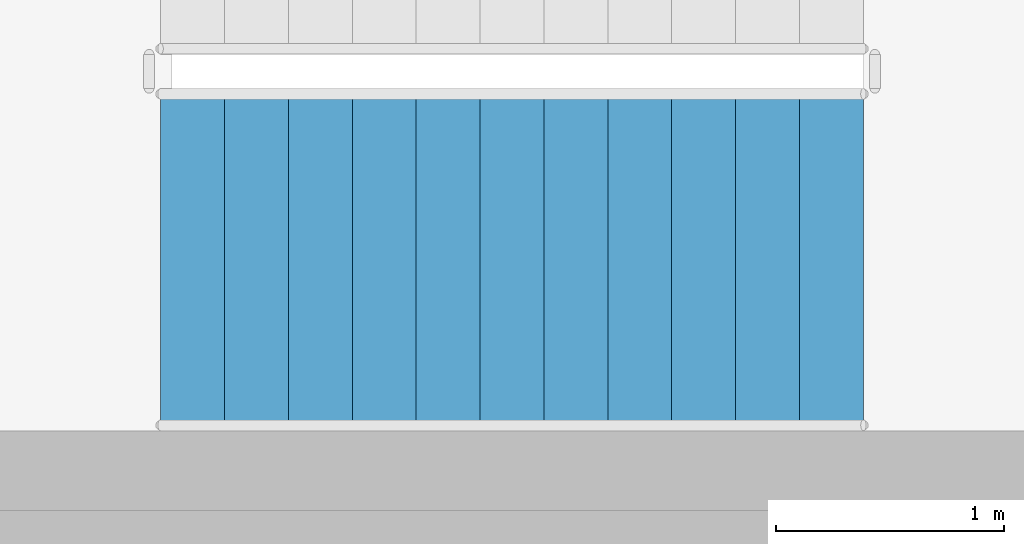
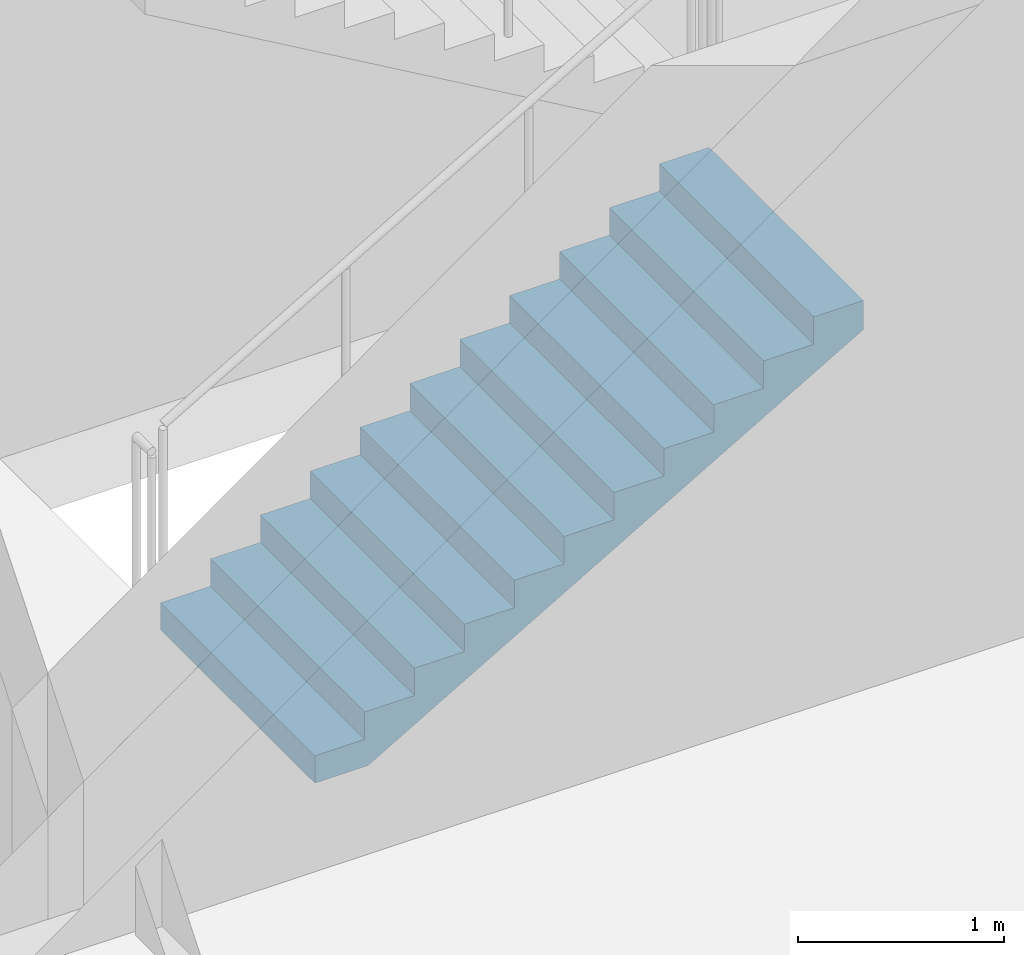
# One storey, part 79 of 95: 1 stair flight, 1 element without a shape of its own.
"""IFC4 building model written with IfcOpenShell, lengths in metres."""

from ifc_helpers import new_model, si_unit, direction, frame, origin, place, context, subcontext, project, spatial, triangles, material, type_object, element, aggregate, save


model = new_model("IFC4")

# Units and contexts
model_context = context("Model", 3, precision=1e-05, world=origin(), true_north=direction((0.0, 1.0)))
body_context = subcontext(model_context, "Body", "Model", "MODEL_VIEW")
ifc_project = project(units=[si_unit("LENGTHUNIT", "METRE"), si_unit("AREAUNIT", "SQUARE_METRE"), si_unit("VOLUMEUNIT", "CUBIC_METRE"), si_unit("PLANEANGLEUNIT", "RADIAN"), si_unit("MASSUNIT", "GRAM", prefix="KILO")], contexts=[model_context])

# Site, building, storey
site_placement = place(None, origin())
site = spatial("IfcSite", under=ifc_project, at=site_placement, CompositionType="ELEMENT")
building_placement = place(site_placement, origin())
building = spatial("IfcBuilding", under=site, at=building_placement, Name="Magnolia Steps Interchange", CompositionType="ELEMENT")
storey_placement = place(building_placement, frame((0.0, 0.0, 4.800048828125)))
storey = spatial("IfcBuildingStorey", under=building, at=storey_placement, Name="L01", CompositionType="ELEMENT", Elevation=4.800048828125)

# Stair, stair flight
ifc_material_1 = material(Name="Concrete C40", Category="concrete")
stair_type = type_object("IfcStairType", Name="Exit stair 1500", PredefinedType="HALF_TURN_STAIR", material=ifc_material_1)
stair_placement = place(storey_placement, origin())
stair = element("IfcStair", 1, at=stair_placement, inside=storey, type_object=stair_type, Name="L01 Stair 4", PredefinedType="HALF_TURN_STAIR")
ifc_material_2 = material(Name="Concrete C40", Category="concrete")
stair_flight_type = type_object("IfcStairFlightType", Name="Exit stair flight", PredefinedType="STRAIGHT", material=ifc_material_2)
stair_flight_placement = place(storey_placement, frame((112.199951171875, 76.050048828125, 0.0), z_axis=(0.0, 0.0, 1.0), x_axis=(1.0, 0.0, 0.0)))
stair_flight = element("IfcStairFlight", 2, at=stair_flight_placement, type_object=stair_flight_type, Name="Stair 4 flight 1", NumberOfRisers=12, NumberOfTreads=11, PredefinedType="STRAIGHT", RiserHeight=0.1625, TreadLength=0.28, context=body_context, shape_type="Tessellation", body=[
    triangles([(0.0, -0.75, 0.0), (0.298583984375, -0.75, 0.0), (3.080078125, -0.75, 1.6142578125), (3.080078125, -0.75, 1.78759765625), (2.800048828125, -0.75, 1.78759765625), (2.800048828125, -0.75, 1.625), (2.52001953125, -0.75, 1.625), (2.52001953125, -0.75, 1.46240234375), (2.239990234375, -0.75, 1.46240234375), (2.239990234375, -0.75, 1.300048828125), (1.9599609375, -0.75, 1.300048828125), (1.9599609375, -0.75, 1.137451171875), (1.679931640625, -0.75, 1.137451171875), (1.679931640625, -0.75, 0.97509765625), (1.39990234375, -0.75, 0.97509765625), (1.39990234375, -0.75, 0.8125), (1.1201171875, -0.75, 0.8125), (1.1201171875, -0.75, 0.64990234375), (0.840087890625, -0.75, 0.64990234375), (0.840087890625, -0.75, 0.487548828125), (0.56005859375, -0.75, 0.487548828125), (0.56005859375, -0.75, 0.324951171875), (0.280029296875, -0.75, 0.324951171875), (0.280029296875, -0.75, 0.16259765625), (0.0, -0.75, 0.16259765625), (0.0, 0.75, 0.0), (0.298583984375, 0.75, 0.0), (3.080078125, 0.75, 1.6142578125), (3.080078125, 0.75, 1.78759765625), (2.800048828125, 0.75, 1.78759765625), (2.800048828125, 0.75, 1.625), (2.52001953125, 0.75, 1.625), (2.52001953125, 0.75, 1.46240234375), (2.239990234375, 0.75, 1.46240234375), (2.239990234375, 0.75, 1.300048828125), (1.9599609375, 0.75, 1.300048828125), (1.9599609375, 0.75, 1.137451171875), (1.679931640625, 0.75, 1.137451171875), (1.679931640625, 0.75, 0.97509765625), (1.39990234375, 0.75, 0.97509765625), (1.39990234375, 0.75, 0.8125), (1.1201171875, 0.75, 0.8125), (1.1201171875, 0.75, 0.64990234375), (0.840087890625, 0.75, 0.64990234375), (0.840087890625, 0.75, 0.487548828125), (0.56005859375, 0.75, 0.487548828125), (0.56005859375, 0.75, 0.324951171875), (0.280029296875, 0.75, 0.324951171875), (0.280029296875, 0.75, 0.16259765625), (0.0, 0.75, 0.16259765625), (0.0, 0.0, 0.0), (0.0, 0.0, 0.0406494140625), (0.0, 0.0, 0.081298828125), (0.0, 0.0, 0.1219482421875), (0.0, 0.0, 0.16259765625), (0.0, -0.05, 0.0), (0.0, -0.05, 0.16259765625), (0.0, 0.05, 0.0), (0.0, 0.05, 0.16259765625), (0.046671549479166664, 0.0, 0.16259765625), (0.09334309895833333, 0.0, 0.16259765625), (0.1400146484375, 0.0, 0.16259765625), (0.18668619791666666, 0.0, 0.16259765625), (0.23335774739583334, 0.0, 0.16259765625), (0.280029296875, 0.0, 0.16259765625), (0.280029296875, -0.05, 0.16259765625), (0.280029296875, 0.05, 0.16259765625), (0.280029296875, 0.0, 0.20318603515625), (0.280029296875, 0.0, 0.2437744140625), (0.280029296875, 0.0, 0.28436279296875), (0.280029296875, 0.0, 0.324951171875), (0.280029296875, -0.05, 0.324951171875), (0.280029296875, 0.05, 0.324951171875), (0.3267008463541667, 0.0, 0.324951171875), (0.3733723958333333, 0.0, 0.324951171875), (0.4200439453125, 0.0, 0.324951171875), (0.46671549479166663, 0.0, 0.324951171875), (0.5133870442708334, 0.0, 0.324951171875), (0.56005859375, 0.0, 0.324951171875), (0.56005859375, -0.05, 0.324951171875), (0.56005859375, 0.05, 0.324951171875), (0.56005859375, 0.0, 0.3656005859375), (0.56005859375, 0.0, 0.40625), (0.56005859375, 0.0, 0.4468994140625), (0.56005859375, 0.0, 0.487548828125), (0.56005859375, -0.05, 0.487548828125), (0.56005859375, 0.05, 0.487548828125), (0.6067301432291666, 0.0, 0.487548828125), (0.6534016927083334, 0.0, 0.487548828125), (0.7000732421875, 0.0, 0.487548828125), (0.7467447916666666, 0.0, 0.487548828125), (0.7934163411458334, 0.0, 0.487548828125), (0.840087890625, 0.0, 0.487548828125), (0.840087890625, -0.05, 0.487548828125), (0.840087890625, 0.05, 0.487548828125), (0.840087890625, 0.0, 0.52813720703125), (0.840087890625, 0.0, 0.5687255859375), (0.840087890625, 0.0, 0.60931396484375), (0.840087890625, 0.0, 0.64990234375), (0.840087890625, -0.05, 0.64990234375), (0.840087890625, 0.05, 0.64990234375), (0.8867594401041666, 0.0, 0.64990234375), (0.9334309895833334, 0.0, 0.64990234375), (0.9801025390625, 0.0, 0.64990234375), (1.0267740885416667, 0.0, 0.64990234375), (1.0734456380208333, 0.0, 0.64990234375), (1.1201171875, 0.0, 0.64990234375), (1.1201171875, -0.05, 0.64990234375), (1.1201171875, 0.05, 0.64990234375), (1.1201171875, 0.0, 0.6905517578125), (1.1201171875, 0.0, 0.731201171875), (1.1201171875, 0.0, 0.7718505859375), (1.1201171875, 0.0, 0.8125), (1.1201171875, -0.05, 0.8125), (1.1201171875, 0.05, 0.8125), (1.1900634765625, 0.0, 0.8125), (1.260009765625, 0.0, 0.8125), (1.3299560546875, 0.0, 0.8125), (1.39990234375, 0.0, 0.8125), (1.39990234375, -0.05, 0.8125), (1.39990234375, 0.05, 0.8125), (1.39990234375, 0.0, 0.8531494140625), (1.39990234375, 0.0, 0.893798828125), (1.39990234375, 0.0, 0.9344482421875), (1.39990234375, 0.0, 0.97509765625), (1.39990234375, -0.05, 0.97509765625), (1.39990234375, 0.05, 0.97509765625), (1.4465738932291667, 0.0, 0.97509765625), (1.4932454427083333, 0.0, 0.97509765625), (1.5399169921875, 0.0, 0.97509765625), (1.5865885416666667, 0.0, 0.97509765625), (1.6332600911458333, 0.0, 0.97509765625), (1.679931640625, 0.0, 0.97509765625), (1.679931640625, -0.05, 0.97509765625), (1.679931640625, 0.05, 0.97509765625), (1.679931640625, 0.0, 1.01568603515625), (1.679931640625, 0.0, 1.0562744140625), (1.679931640625, 0.0, 1.09686279296875), (1.679931640625, 0.0, 1.137451171875), (1.679931640625, -0.05, 1.137451171875), (1.679931640625, 0.05, 1.137451171875), (1.7266031901041667, 0.0, 1.137451171875), (1.7732747395833333, 0.0, 1.137451171875), (1.8199462890625, 0.0, 1.137451171875), (1.8666178385416667, 0.0, 1.137451171875), (1.9132893880208333, 0.0, 1.137451171875), (1.9599609375, 0.0, 1.137451171875), (1.9599609375, -0.05, 1.137451171875), (1.9599609375, 0.05, 1.137451171875), (1.9599609375, 0.0, 1.1781005859375), (1.9599609375, 0.0, 1.21875), (1.9599609375, 0.0, 1.2593994140625), (1.9599609375, 0.0, 1.300048828125), (1.9599609375, -0.05, 1.300048828125), (1.9599609375, 0.05, 1.300048828125), (2.0066324869791665, 0.0, 1.300048828125), (2.0533040364583335, 0.0, 1.300048828125), (2.0999755859375, 0.0, 1.300048828125), (2.1466471354166665, 0.0, 1.300048828125), (2.1933186848958335, 0.0, 1.300048828125), (2.239990234375, 0.0, 1.300048828125), (2.239990234375, -0.05, 1.300048828125), (2.239990234375, 0.05, 1.300048828125), (2.239990234375, 0.0, 1.34063720703125), (2.239990234375, 0.0, 1.3812255859375), (2.239990234375, 0.0, 1.42181396484375), (2.239990234375, 0.0, 1.46240234375), (2.239990234375, -0.05, 1.46240234375), (2.239990234375, 0.05, 1.46240234375), (2.2866617838541665, 0.0, 1.46240234375), (2.3333333333333335, 0.0, 1.46240234375), (2.3800048828125, 0.0, 1.46240234375), (2.4266764322916665, 0.0, 1.46240234375), (2.4733479817708335, 0.0, 1.46240234375), (2.52001953125, 0.0, 1.46240234375), (2.52001953125, -0.05, 1.46240234375), (2.52001953125, 0.05, 1.46240234375), (2.52001953125, 0.0, 1.5030517578125), (2.52001953125, 0.0, 1.543701171875), (2.52001953125, 0.0, 1.5843505859375), (2.52001953125, 0.0, 1.625), (2.52001953125, -0.05, 1.625), (2.52001953125, 0.05, 1.625), (2.5666910807291665, 0.0, 1.625), (2.6133626302083335, 0.0, 1.625), (2.6600341796875, 0.0, 1.625), (2.7067057291666665, 0.0, 1.625), (2.7533772786458335, 0.0, 1.625), (2.800048828125, 0.0, 1.625), (2.800048828125, -0.05, 1.625), (2.800048828125, 0.05, 1.625), (2.800048828125, 0.0, 1.6656494140625), (2.800048828125, 0.0, 1.706298828125), (2.800048828125, 0.0, 1.7469482421875), (2.800048828125, 0.0, 1.78759765625), (2.800048828125, -0.05, 1.78759765625), (2.800048828125, 0.05, 1.78759765625), (2.8467203776041665, 0.0, 1.78759765625), (2.8933919270833335, 0.0, 1.78759765625), (2.9400634765625, 0.0, 1.78759765625), (2.9867350260416665, 0.0, 1.78759765625), (3.0334065755208335, 0.0, 1.78759765625), (3.080078125, 0.0, 1.78759765625), (3.080078125, -0.05, 1.78759765625), (3.080078125, 0.05, 1.78759765625), (3.080078125, 0.0, 1.7442626953125), (3.080078125, 0.0, 1.700927734375), (3.080078125, 0.0, 1.6575927734375), (3.080078125, 0.0, 1.6142578125), (3.080078125, -0.05, 1.6142578125), (3.080078125, 0.05, 1.6142578125), (3.0196108610733696, 0.0, 1.5791652513586956), (2.9591435971467392, 0.0, 1.5440726902173914), (2.898676333220109, 0.0, 1.508980129076087), (2.8382090692934785, 0.0, 1.4738875679347827), (2.7777418053668477, 0.0, 1.4387950067934783), (2.7172745414402173, 0.0, 1.4037024456521738), (2.656807277513587, 0.0, 1.3686098845108696), (2.5963400135869565, 0.0, 1.3335173233695652), (2.535872749660326, 0.0, 1.2984247622282608), (2.475405485733696, 0.0, 1.2633322010869565), (2.4149382218070654, 0.0, 1.228239639945652), (2.3544709578804346, 0.0, 1.193147078804348), (2.294003693953804, 0.0, 1.1580545176630435), (2.233536430027174, 0.0, 1.1229619565217392), (2.1730691661005435, 0.0, 1.0878693953804348), (2.112601902173913, 0.0, 1.0527768342391304), (2.0521346382472827, 0.0, 1.0176842730978262), (1.991667374320652, 0.0, 0.9825917119565217), (1.9312001103940217, 0.0, 0.9474991508152174), (1.8707328464673914, 0.0, 0.9124065896739131), (1.810265582540761, 0.0, 0.8773140285326086), (1.7497983186141304, 0.0, 0.8422214673913043), (1.6893310546875, 0.0, 0.80712890625), (1.6288637907608696, 0.0, 0.7720363451086957), (1.568396526834239, 0.0, 0.7369437839673914), (1.5079292629076086, 0.0, 0.7018512228260869), (1.4474619989809783, 0.0, 0.6667586616847826), (1.386994735054348, 0.0, 0.6316661005434783), (1.3265274711277173, 0.0, 0.5965735394021738), (1.266060207201087, 0.0, 0.5614809782608696), (1.2055929432744565, 0.0, 0.5263884171195652), (1.1451256793478262, 0.0, 0.491295855978261), (1.0846584154211956, 0.0, 0.45620329483695654), (1.0241911514945654, 0.0, 0.4211107336956521), (0.9637238875679346, 0.0, 0.3860181725543479), (0.9032566236413042, 0.0, 0.35092561141304346), (0.8427893597146738, 0.0, 0.315833050271739), (0.7823220957880435, 0.0, 0.2807404891304348), (0.7218548318614131, 0.0, 0.24564792798913038), (0.6613875679347827, 0.0, 0.21055536684782616), (0.6009203040081523, 0.0, 0.17546280570652173), (0.540453040081522, 0.0, 0.1403702445652173), (0.47998577615489113, 0.0, 0.10527768342391308), (0.41951851222826075, 0.0, 0.07018512228260865), (0.3590512483016304, 0.0, 0.035092561141304435), (0.298583984375, 0.0, 0.0), (0.298583984375, -0.05, 0.0), (0.298583984375, 0.05, 0.0), (0.24881998697916666, 0.0, 0.0), (0.19905598958333331, 0.0, 0.0), (0.1492919921875, 0.0, 0.0), (0.09952799479166666, 0.0, 0.0), (0.04976399739583334, 0.0, 0.0)], [[1, 2, 3], [3, 4, 5], [3, 5, 6], [3, 6, 7], [3, 7, 8], [8, 9, 10], [3, 8, 10], [10, 11, 12], [3, 10, 12], [12, 13, 14], [3, 12, 14], [14, 15, 16], [3, 14, 16], [16, 17, 18], [3, 16, 18], [18, 19, 20], [3, 18, 20], [20, 21, 22], [3, 20, 22], [1, 3, 22], [22, 23, 24], [1, 22, 24], [24, 25, 1], [26, 28, 27], [28, 30, 29], [28, 31, 30], [28, 32, 31], [28, 33, 32], [33, 35, 34], [28, 35, 33], [35, 37, 36], [28, 37, 35], [37, 39, 38], [28, 39, 37], [39, 41, 40], [28, 41, 39], [41, 43, 42], [28, 43, 41], [43, 45, 44], [28, 45, 43], [45, 47, 46], [28, 47, 45], [26, 47, 28], [47, 49, 48], [26, 49, 47], [49, 26, 50], [1, 25, 57], [1, 57, 56], [56, 52, 51], [56, 53, 52], [56, 57, 53], [57, 54, 53], [57, 55, 54], [26, 59, 50], [26, 58, 59], [58, 51, 52], [58, 52, 53], [58, 53, 59], [59, 53, 54], [59, 54, 55], [25, 24, 66], [25, 66, 57], [57, 60, 55], [57, 61, 60], [57, 62, 61], [57, 66, 62], [66, 63, 62], [66, 64, 63], [66, 65, 64], [50, 67, 49], [50, 59, 67], [59, 55, 60], [59, 60, 61], [59, 61, 62], [59, 62, 67], [67, 62, 63], [67, 63, 64], [67, 64, 65], [24, 23, 72], [24, 72, 66], [66, 68, 65], [66, 69, 68], [66, 72, 69], [72, 70, 69], [72, 71, 70], [49, 73, 48], [49, 67, 73], [67, 65, 68], [67, 68, 69], [67, 69, 73], [73, 69, 70], [73, 70, 71], [23, 22, 80], [23, 80, 72], [72, 74, 71], [72, 75, 74], [72, 76, 75], [72, 80, 76], [80, 77, 76], [80, 78, 77], [80, 79, 78], [48, 81, 47], [48, 73, 81], [73, 71, 74], [73, 74, 75], [73, 75, 76], [73, 76, 81], [81, 76, 77], [81, 77, 78], [81, 78, 79], [22, 21, 86], [22, 86, 80], [80, 82, 79], [80, 83, 82], [80, 86, 83], [86, 84, 83], [86, 85, 84], [47, 87, 46], [47, 81, 87], [81, 79, 82], [81, 82, 83], [81, 83, 87], [87, 83, 84], [87, 84, 85], [21, 20, 94], [21, 94, 86], [86, 88, 85], [86, 89, 88], [86, 90, 89], [86, 94, 90], [94, 91, 90], [94, 92, 91], [94, 93, 92], [46, 95, 45], [46, 87, 95], [87, 85, 88], [87, 88, 89], [87, 89, 90], [87, 90, 95], [95, 90, 91], [95, 91, 92], [95, 92, 93], [20, 19, 100], [20, 100, 94], [94, 96, 93], [94, 97, 96], [94, 100, 97], [100, 98, 97], [100, 99, 98], [45, 101, 44], [45, 95, 101], [95, 93, 96], [95, 96, 97], [95, 97, 101], [101, 97, 98], [101, 98, 99], [19, 18, 108], [19, 108, 100], [100, 102, 99], [100, 103, 102], [100, 104, 103], [100, 108, 104], [108, 105, 104], [108, 106, 105], [108, 107, 106], [44, 109, 43], [44, 101, 109], [101, 99, 102], [101, 102, 103], [101, 103, 104], [101, 104, 109], [109, 104, 105], [109, 105, 106], [109, 106, 107], [18, 17, 114], [18, 114, 108], [108, 110, 107], [108, 111, 110], [108, 114, 111], [114, 112, 111], [114, 113, 112], [43, 115, 42], [43, 109, 115], [109, 107, 110], [109, 110, 111], [109, 111, 115], [115, 111, 112], [115, 112, 113], [17, 16, 120], [17, 120, 114], [114, 116, 113], [114, 117, 116], [114, 120, 117], [120, 118, 117], [120, 119, 118], [42, 121, 41], [42, 115, 121], [115, 113, 116], [115, 116, 117], [115, 117, 121], [121, 117, 118], [121, 118, 119], [16, 15, 126], [16, 126, 120], [120, 122, 119], [120, 123, 122], [120, 126, 123], [126, 124, 123], [126, 125, 124], [41, 127, 40], [41, 121, 127], [121, 119, 122], [121, 122, 123], [121, 123, 127], [127, 123, 124], [127, 124, 125], [15, 14, 134], [15, 134, 126], [126, 128, 125], [126, 129, 128], [126, 130, 129], [126, 134, 130], [134, 131, 130], [134, 132, 131], [134, 133, 132], [40, 135, 39], [40, 127, 135], [127, 125, 128], [127, 128, 129], [127, 129, 130], [127, 130, 135], [135, 130, 131], [135, 131, 132], [135, 132, 133], [14, 13, 140], [14, 140, 134], [134, 136, 133], [134, 137, 136], [134, 140, 137], [140, 138, 137], [140, 139, 138], [39, 141, 38], [39, 135, 141], [135, 133, 136], [135, 136, 137], [135, 137, 141], [141, 137, 138], [141, 138, 139], [13, 12, 148], [13, 148, 140], [140, 142, 139], [140, 143, 142], [140, 144, 143], [140, 148, 144], [148, 145, 144], [148, 146, 145], [148, 147, 146], [38, 149, 37], [38, 141, 149], [141, 139, 142], [141, 142, 143], [141, 143, 144], [141, 144, 149], [149, 144, 145], [149, 145, 146], [149, 146, 147], [12, 11, 154], [12, 154, 148], [148, 150, 147], [148, 151, 150], [148, 154, 151], [154, 152, 151], [154, 153, 152], [37, 155, 36], [37, 149, 155], [149, 147, 150], [149, 150, 151], [149, 151, 155], [155, 151, 152], [155, 152, 153], [11, 10, 162], [11, 162, 154], [154, 156, 153], [154, 157, 156], [154, 158, 157], [154, 162, 158], [162, 159, 158], [162, 160, 159], [162, 161, 160], [36, 163, 35], [36, 155, 163], [155, 153, 156], [155, 156, 157], [155, 157, 158], [155, 158, 163], [163, 158, 159], [163, 159, 160], [163, 160, 161], [10, 9, 168], [10, 168, 162], [162, 164, 161], [162, 165, 164], [162, 168, 165], [168, 166, 165], [168, 167, 166], [35, 169, 34], [35, 163, 169], [163, 161, 164], [163, 164, 165], [163, 165, 169], [169, 165, 166], [169, 166, 167], [9, 8, 176], [9, 176, 168], [168, 170, 167], [168, 171, 170], [168, 172, 171], [168, 176, 172], [176, 173, 172], [176, 174, 173], [176, 175, 174], [34, 177, 33], [34, 169, 177], [169, 167, 170], [169, 170, 171], [169, 171, 172], [169, 172, 177], [177, 172, 173], [177, 173, 174], [177, 174, 175], [8, 7, 182], [8, 182, 176], [176, 178, 175], [176, 179, 178], [176, 182, 179], [182, 180, 179], [182, 181, 180], [33, 183, 32], [33, 177, 183], [177, 175, 178], [177, 178, 179], [177, 179, 183], [183, 179, 180], [183, 180, 181], [7, 6, 190], [7, 190, 182], [182, 184, 181], [182, 185, 184], [182, 186, 185], [182, 190, 186], [190, 187, 186], [190, 188, 187], [190, 189, 188], [32, 191, 31], [32, 183, 191], [183, 181, 184], [183, 184, 185], [183, 185, 186], [183, 186, 191], [191, 186, 187], [191, 187, 188], [191, 188, 189], [6, 5, 196], [6, 196, 190], [190, 192, 189], [190, 193, 192], [190, 196, 193], [196, 194, 193], [196, 195, 194], [31, 197, 30], [31, 191, 197], [191, 189, 192], [191, 192, 193], [191, 193, 197], [197, 193, 194], [197, 194, 195], [5, 4, 204], [5, 204, 196], [196, 198, 195], [196, 199, 198], [196, 200, 199], [196, 204, 200], [204, 201, 200], [204, 202, 201], [204, 203, 202], [30, 205, 29], [30, 197, 205], [197, 195, 198], [197, 198, 199], [197, 199, 200], [197, 200, 205], [205, 200, 201], [205, 201, 202], [205, 202, 203], [4, 3, 210], [4, 210, 204], [204, 206, 203], [204, 207, 206], [204, 210, 207], [210, 208, 207], [210, 209, 208], [29, 211, 28], [29, 205, 211], [205, 203, 206], [205, 206, 207], [205, 207, 211], [211, 207, 208], [211, 208, 209], [3, 2, 258], [3, 258, 210], [210, 212, 209], [210, 213, 212], [210, 214, 213], [210, 215, 214], [210, 216, 215], [210, 217, 216], [210, 218, 217], [210, 219, 218], [210, 220, 219], [210, 221, 220], [210, 222, 221], [210, 223, 222], [210, 224, 223], [210, 225, 224], [210, 226, 225], [210, 227, 226], [210, 228, 227], [210, 229, 228], [210, 230, 229], [210, 231, 230], [210, 232, 231], [210, 233, 232], [210, 234, 233], [210, 258, 234], [258, 235, 234], [258, 236, 235], [258, 237, 236], [258, 238, 237], [258, 239, 238], [258, 240, 239], [258, 241, 240], [258, 242, 241], [258, 243, 242], [258, 244, 243], [258, 245, 244], [258, 246, 245], [258, 247, 246], [258, 248, 247], [258, 249, 248], [258, 250, 249], [258, 251, 250], [258, 252, 251], [258, 253, 252], [258, 254, 253], [258, 255, 254], [258, 256, 255], [258, 257, 256], [28, 259, 27], [28, 211, 259], [211, 209, 212], [211, 212, 213], [211, 213, 214], [211, 214, 215], [211, 215, 216], [211, 216, 217], [211, 217, 218], [211, 218, 219], [211, 219, 220], [211, 220, 221], [211, 221, 222], [211, 222, 223], [211, 223, 224], [211, 224, 225], [211, 225, 226], [211, 226, 227], [211, 227, 228], [211, 228, 229], [211, 229, 230], [211, 230, 231], [211, 231, 232], [211, 232, 233], [211, 233, 234], [211, 234, 259], [259, 234, 235], [259, 235, 236], [259, 236, 237], [259, 237, 238], [259, 238, 239], [259, 239, 240], [259, 240, 241], [259, 241, 242], [259, 242, 243], [259, 243, 244], [259, 244, 245], [259, 245, 246], [259, 246, 247], [259, 247, 248], [259, 248, 249], [259, 249, 250], [259, 250, 251], [259, 251, 252], [259, 252, 253], [259, 253, 254], [259, 254, 255], [259, 255, 256], [259, 256, 257], [2, 1, 56], [2, 56, 258], [258, 260, 257], [258, 261, 260], [258, 262, 261], [258, 56, 262], [56, 263, 262], [56, 264, 263], [56, 51, 264], [27, 58, 26], [27, 259, 58], [259, 257, 260], [259, 260, 261], [259, 261, 262], [259, 262, 58], [58, 262, 263], [58, 263, 264], [58, 264, 51]], closed=True),
])
aggregate(stair, [stair_flight])

save(model, "model.ifc")
